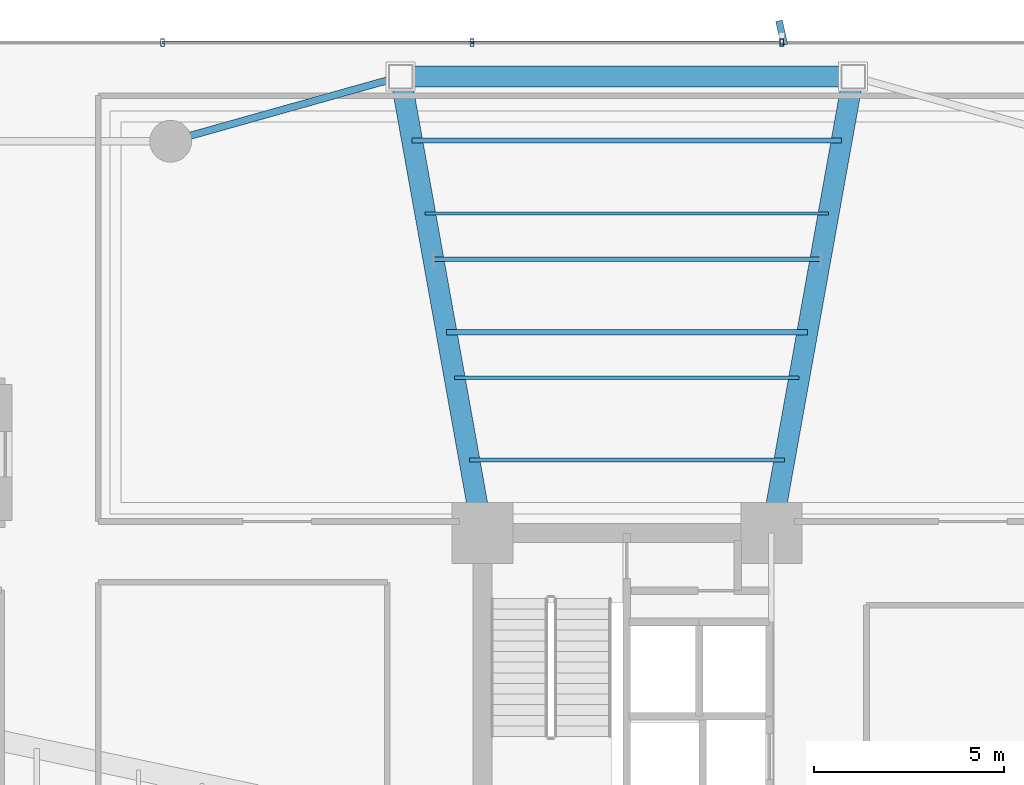
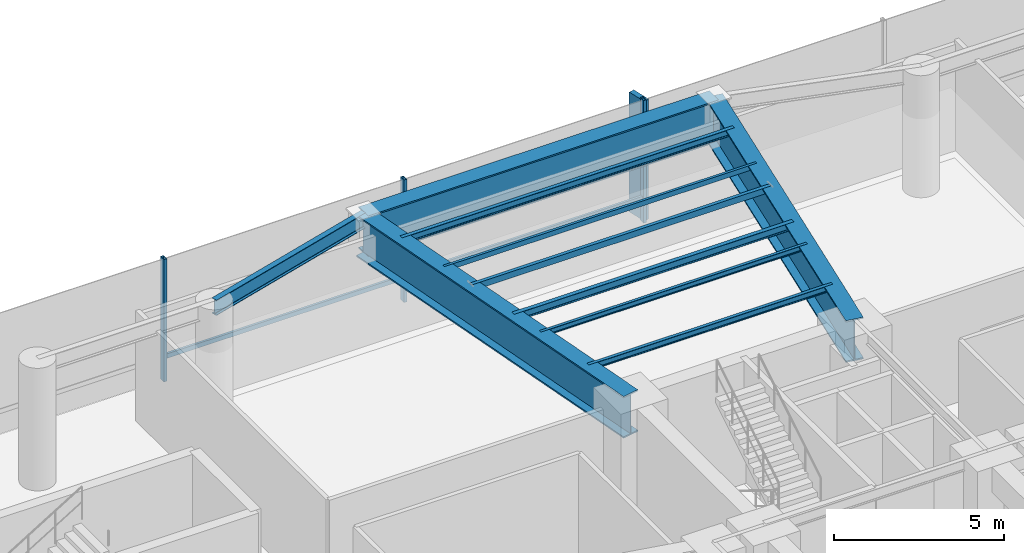
# One storey, part 9 of 22: 10 beams, 6 members, 1 element without a shape of its own.
"""IFC4 building model written with IfcOpenShell, lengths in metres."""

from ifc_helpers import new_model, si_unit, direction, frame, origin, origin_2d, place, context, subcontext, project, spatial, rectangle, hollow_rectangle, i_section, extrude, source, transform, mapped, material, material_profile, profile_set, type_object, element, aggregate, save


model = new_model("IFC4")

# Units and contexts
model_context = context("Model", 3, precision=1e-05, world=origin(), true_north=direction((0.0, 1.0)))
body_context = subcontext(model_context, "Body", "Model", "MODEL_VIEW")
ifc_project = project(units=[si_unit("LENGTHUNIT", "METRE"), si_unit("AREAUNIT", "SQUARE_METRE"), si_unit("VOLUMEUNIT", "CUBIC_METRE"), si_unit("PLANEANGLEUNIT", "RADIAN"), si_unit("MASSUNIT", "GRAM", prefix="KILO")], contexts=[model_context])

# Site, building, storey
site_placement = place(None, origin())
site = spatial("IfcSite", under=ifc_project, at=site_placement, CompositionType="ELEMENT")
building_placement = place(site_placement, origin())
building = spatial("IfcBuilding", under=site, at=building_placement, Name="Sahyath Konkavel Grand Hotel", CompositionType="ELEMENT")
storey_placement = place(building_placement, frame((0.0, 0.0, 9.300048828125)))
storey = spatial("IfcBuildingStorey", under=building, at=storey_placement, Name="L02", CompositionType="ELEMENT", Elevation=9.300048828125)

# Beams
ifc_material_1 = material(Name="Steel E350", Category="steel")
ifc_material_profile_1 = material_profile(ifc_material_1, i_section(OverallWidth=0.18994140625, OverallDepth=0.550048828125, WebThickness=0.01123046875, FlangeThickness=0.019287109375, FilletRadius=0.01806640625, at=origin_2d()), Name="ISMB 550")
ifc_profile_set_1 = profile_set([ifc_material_profile_1], Name="Steel E350")
beam_type_1 = type_object("IfcBeamType", Name="BM-ISMB550", PredefinedType="BEAM", material=ifc_profile_set_1)
shared_shape_1 = source(origin(), body_context, "Body", "SweptSolid", [
    extrude(i_section(OverallWidth=0.18994140625, OverallDepth=0.550048828125, WebThickness=0.01123046875, FlangeThickness=0.019287109375, FilletRadius=0.01806640625, at=origin_2d()), origin(), (0.0, 0.0, 1.0), 6.284423828125),
])
beam_1_placement = place(storey_placement, frame((-12.0, 20.5, 4.125), z_axis=(0.962718307277, 0.270505934933, 0.0), x_axis=(-0.270505934933, 0.962718307277, 0.0)))
element("IfcBeam", 1, at=beam_1_placement, inside=storey, type_object=beam_type_1, Name="str:bm:L02:POD-02", PredefinedType="BEAM", context=body_context, shape_type="MappedRepresentation", body=[
    mapped(shared_shape_1, transform((0.0, 0.0, 0.0), scale=1.0)),
])
ifc_material_2 = material(Name="Steel E450", Category="steel")
ifc_material_profile_2 = material_profile(ifc_material_2, i_section(OverallWidth=0.550048828125, OverallDepth=1.5, WebThickness=0.028076171875, FlangeThickness=0.050048828125, at=origin_2d()), Name="BPG 1500x550")
ifc_profile_set_2 = profile_set([ifc_material_profile_2], Name="Steel E450")
beam_type_2 = type_object("IfcBeamType", Name="BM-BPG1500", PredefinedType="BEAM", material=ifc_profile_set_2)
shared_shape_2 = source(origin(), body_context, "Body", "SweptSolid", [
    extrude(i_section(OverallWidth=0.550048828125, OverallDepth=1.5, WebThickness=0.028076171875, FlangeThickness=0.050048828125, at=origin_2d()), origin(), (0.0, 0.0, 1.0), 12.191162109375),
])
for number, where, z_axis, x_axis, name in (
    (2, (3.800048828125, 10.199951171875, 3.64990234375), (0.176350650305, 0.984327409014, 0.0), (-0.984327409014, 0.176350650305, 0.0), "L02 Ballroom E450 Transfer Truss Chord NA"),
    (3, (-3.800048828125, 10.199951171875, 3.64990234375), (-0.176350650305, 0.984327409014, 0.0), (-0.984327409014, -0.176350650305, 0.0), "L02 Ballroom E450 Transfer Truss Chord NB"),
):
    element("IfcBeam", number, at=place(storey_placement, frame(where, z_axis=z_axis, x_axis=x_axis)), inside=storey, type_object=beam_type_2, Name=name, PredefinedType="BEAM", context=body_context, shape_type="MappedRepresentation", body=[
        mapped(shared_shape_2, transform((0.0, 0.0, 0.0), scale=1.0)),
    ])
shared_shape_3 = source(origin(), body_context, "Body", "SweptSolid", [
    extrude(i_section(OverallWidth=0.550048828125, OverallDepth=1.5, WebThickness=0.028076171875, FlangeThickness=0.050048828125, at=origin_2d()), origin(), (0.0, 0.0, 1.0), 11.89990234375),
])
beam_2_placement = place(storey_placement, frame((5.949951171875, 22.199951171875, 3.64990234375), z_axis=(-1.0, 0.0, 0.0), x_axis=(0.0, -1.0, 0.0)))
element("IfcBeam", 4, at=beam_2_placement, inside=storey, type_object=beam_type_2, Name="L02 Ballroom E450 Transfer Truss Chord Tie N", PredefinedType="BEAM", context=body_context, shape_type="MappedRepresentation", body=[
    mapped(shared_shape_3, transform((0.0, 0.0, 0.0), scale=1.0)),
])
ifc_material_profile_3 = material_profile(ifc_material_1, i_section(OverallWidth=0.110107421875, OverallDepth=0.22509765625, WebThickness=0.006591796875, FlangeThickness=0.01171875, FilletRadius=0.011962890625, at=origin_2d()), Name="ISMB 225")
ifc_profile_set_3 = profile_set([ifc_material_profile_3], Name="Steel E350")
beam_type_3 = type_object("IfcBeamType", Name="BM-ISMB225", PredefinedType="BEAM", material=ifc_profile_set_3)
shared_shape_4 = source(origin(), body_context, "Body", "SweptSolid", [
    extrude(i_section(OverallWidth=0.110107421875, OverallDepth=0.22509765625, WebThickness=0.006591796875, FlangeThickness=0.01171875, FilletRadius=0.011962890625, at=origin_2d()), origin(), (0.0, 0.0, 1.0), 8.2880859375),
])
beam_3_placement = place(storey_placement, frame((4.14404296875, 12.1201171875, 4.287353515625), z_axis=(-1.0, 0.0, 0.0), x_axis=(0.0, -1.0, 0.0)))
element("IfcBeam", 5, at=beam_3_placement, inside=storey, type_object=beam_type_3, Name="L02 Composite Deck Sub-Beam N-1", PredefinedType="BEAM", context=body_context, shape_type="MappedRepresentation", body=[
    mapped(shared_shape_4, transform((0.0, 0.0, 0.0), scale=1.0)),
])
ifc_material_profile_4 = material_profile(ifc_material_1, i_section(OverallWidth=0.10009765625, OverallDepth=0.199951171875, WebThickness=0.005615234375, FlangeThickness=0.0107421875, FilletRadius=0.010986328125, at=origin_2d()), Name="ISMB 200")
ifc_profile_set_4 = profile_set([ifc_material_profile_4], Name="Steel E350")
beam_type_4 = type_object("IfcBeamType", Name="BM-ISMB200", PredefinedType="BEAM", material=ifc_profile_set_4)
shared_shape_5 = source(origin(), body_context, "Body", "SweptSolid", [
    extrude(i_section(OverallWidth=0.10009765625, OverallDepth=0.199951171875, WebThickness=0.005615234375, FlangeThickness=0.0107421875, FilletRadius=0.010986328125, at=origin_2d()), origin(), (0.0, 0.0, 1.0), 9.06201171875),
])
beam_4_placement = place(storey_placement, frame((4.531005859375, 14.280029296875, 4.300048828125), z_axis=(-1.0, 0.0, 0.0), x_axis=(0.0, -1.0, 0.0)))
element("IfcBeam", 6, at=beam_4_placement, inside=storey, type_object=beam_type_4, Name="L02 Composite Deck Sub-Beam N-2", PredefinedType="BEAM", context=body_context, shape_type="MappedRepresentation", body=[
    mapped(shared_shape_5, transform((0.0, 0.0, 0.0), scale=1.0)),
])
ifc_material_profile_5 = material_profile(ifc_material_1, i_section(OverallWidth=0.139892578125, OverallDepth=0.27490234375, WebThickness=0.00634765625, FlangeThickness=0.0087890625, FilletRadius=0.012939453125, at=origin_2d()), Name="ISLB 275")
ifc_profile_set_5 = profile_set([ifc_material_profile_5], Name="Steel E350")
beam_type_5 = type_object("IfcBeamType", Name="BM-ISLB275", PredefinedType="BEAM", material=ifc_profile_set_5)
shared_shape_6 = source(origin(), body_context, "Body", "SweptSolid", [
    extrude(i_section(OverallWidth=0.139892578125, OverallDepth=0.27490234375, WebThickness=0.00634765625, FlangeThickness=0.0087890625, FilletRadius=0.012939453125, at=origin_2d()), origin(), (0.0, 0.0, 1.0), 9.4921875),
])
beam_5_placement = place(storey_placement, frame((4.74609375, 15.47998046875, 4.262451171875), z_axis=(-1.0, 0.0, 0.0), x_axis=(0.0, -1.0, 0.0)))
element("IfcBeam", 7, at=beam_5_placement, inside=storey, type_object=beam_type_5, Name="L02 Composite Deck Sub-Beam N-3", PredefinedType="BEAM", context=body_context, shape_type="MappedRepresentation", body=[
    mapped(shared_shape_6, transform((0.0, 0.0, 0.0), scale=1.0)),
])
ifc_material_profile_6 = material_profile(ifc_material_1, hollow_rectangle(XDim=0.1201171875, YDim=0.219970703125, WallThickness=0.010009765625, at=origin_2d()), Name="RHS 220x120x10")
ifc_profile_set_6 = profile_set([ifc_material_profile_6], Name="Steel E350")
beam_type_6 = type_object("IfcBeamType", Name="BM-RHS220", PredefinedType="BEAM", material=ifc_profile_set_6)
shared_shape_7 = source(origin(), body_context, "Body", "SweptSolid", [
    extrude(hollow_rectangle(XDim=0.1201171875, YDim=0.219970703125, WallThickness=0.010009765625, at=origin_2d()), origin(), (0.0, 0.0, 1.0), 10.18017578125),
])
beam_6_placement = place(storey_placement, frame((5.090087890625, 17.39990234375, 4.2900390625), z_axis=(-1.0, 0.0, 0.0), x_axis=(0.0, -1.0, 0.0)))
element("IfcBeam", 8, at=beam_6_placement, inside=storey, type_object=beam_type_6, Name="L02 Composite Deck Sub-Beam N-4", PredefinedType="BEAM", context=body_context, shape_type="MappedRepresentation", body=[
    mapped(shared_shape_7, transform((0.0, 0.0, 0.0), scale=1.0)),
])
ifc_material_profile_7 = material_profile(ifc_material_1, hollow_rectangle(XDim=0.090087890625, YDim=0.179931640625, WallThickness=0.008056640625, at=origin_2d()), Name="RHS 180x90x8")
ifc_profile_set_7 = profile_set([ifc_material_profile_7], Name="Steel E350")
beam_type_7 = type_object("IfcBeamType", Name="BM-RHS180", PredefinedType="BEAM", material=ifc_profile_set_7)
shared_shape_8 = source(origin(), body_context, "Body", "SweptSolid", [
    extrude(hollow_rectangle(XDim=0.090087890625, YDim=0.179931640625, WallThickness=0.008056640625, at=origin_2d()), origin(), (0.0, 0.0, 1.0), 10.60986328125),
])
beam_7_placement = place(storey_placement, frame((5.304931640625, 18.60009765625, 4.31005859375), z_axis=(-1.0, 0.0, 0.0), x_axis=(0.0, -1.0, 0.0)))
element("IfcBeam", 9, at=beam_7_placement, inside=storey, type_object=beam_type_7, Name="L02 Composite Deck Sub-Beam N-5", PredefinedType="BEAM", context=body_context, shape_type="MappedRepresentation", body=[
    mapped(shared_shape_8, transform((0.0, 0.0, 0.0), scale=1.0)),
])
ifc_material_profile_8 = material_profile(ifc_material_1, i_section(OverallWidth=0.125, OverallDepth=0.25, WebThickness=0.0068359375, FlangeThickness=0.012451171875, FilletRadius=0.012939453125, at=origin_2d()), Name="ISMB 250")
ifc_profile_set_8 = profile_set([ifc_material_profile_8], Name="Steel E350")
beam_type_8 = type_object("IfcBeamType", Name="BM-ISMB250", PredefinedType="BEAM", material=ifc_profile_set_8)
shared_shape_9 = source(origin(), body_context, "Body", "SweptSolid", [
    extrude(i_section(OverallWidth=0.125, OverallDepth=0.25, WebThickness=0.0068359375, FlangeThickness=0.012451171875, FilletRadius=0.012939453125, at=origin_2d()), origin(), (0.0, 0.0, 1.0), 11.2978515625),
])
beam_8_placement = place(storey_placement, frame((5.64892578125, 20.52001953125, 4.27490234375), z_axis=(-1.0, 0.0, 0.0), x_axis=(0.0, -1.0, 0.0)))
element("IfcBeam", 10, at=beam_8_placement, inside=storey, type_object=beam_type_8, Name="L02 Composite Deck Sub-Beam N-6", PredefinedType="BEAM", context=body_context, shape_type="MappedRepresentation", body=[
    mapped(shared_shape_9, transform((0.0, 0.0, 0.0), scale=1.0)),
])

# Curtain wall, members
ifc_material_3 = material(Name="Anodised Bronze Aluminium & Low-E Glazing", Category="aluminium")
curtain_wall_type = type_object("IfcCurtainWallType", Name="CW-PODIUM", PredefinedType="NOTDEFINED", material=ifc_material_3)
curtain_wall_placement = place(storey_placement, origin())
curtain_wall = element("IfcCurtainWall", 11, at=curtain_wall_placement, inside=storey, type_object=curtain_wall_type, Name="L02 Unitised Curtain Wall N", PredefinedType="NOTDEFINED")
ifc_material_4 = material(Name="Anodised Bronze Aluminium", Category="aluminium")
ifc_material_profile_9 = material_profile(ifc_material_4, hollow_rectangle(XDim=0.10009765625, YDim=0.199951171875, WallThickness=0.008056640625, at=origin_2d()), Name="RHS 200x100x8")
ifc_profile_set_9 = profile_set([ifc_material_profile_9], Name="Anodised Bronze Aluminium")
member_type_1 = type_object("IfcMemberType", Name="CW-MUL-200", PredefinedType="MULLION", material=ifc_profile_set_9)
shared_shape_10 = source(origin(), body_context, "Body", "SweptSolid", [
    extrude(hollow_rectangle(XDim=0.10009765625, YDim=0.199951171875, WallThickness=0.008056640625, at=origin_2d()), origin(), (0.0, 0.0, 1.0), 4.39990234375),
])
member_1_placement = place(storey_placement, frame((4.071533203125, 23.092041015625, 0.0), z_axis=(0.0, 0.0, 1.0), x_axis=(1.0, 0.0, 0.0)))
member_1 = element("IfcMember", 12, at=member_1_placement, type_object=member_type_1, Name="L02 Curtain Wall Mullion N-3", PredefinedType="MULLION", context=body_context, shape_type="MappedRepresentation", body=[
    mapped(shared_shape_10, transform((0.0, 0.0, 0.0), scale=1.0)),
])
member_2_placement = place(storey_placement, frame((-4.071533203125, 23.092041015625, 0.0), z_axis=(0.0, 0.0, 1.0), x_axis=(1.0, 0.0, 0.0)))
member_2 = element("IfcMember", 13, at=member_2_placement, type_object=member_type_1, Name="L02 Curtain Wall Mullion N-4", PredefinedType="MULLION", context=body_context, shape_type="MappedRepresentation", body=[
    mapped(shared_shape_10, transform((0.0, 0.0, 0.0), scale=1.0)),
])
member_3_placement = place(storey_placement, frame((-12.214599609375, 23.092041015625, 0.0), z_axis=(0.0, 0.0, 1.0), x_axis=(1.0, 0.0, 0.0)))
member_3 = element("IfcMember", 14, at=member_3_placement, type_object=member_type_1, Name="L02 Curtain Wall Mullion N-5", PredefinedType="MULLION", context=body_context, shape_type="MappedRepresentation", body=[
    mapped(shared_shape_10, transform((0.0, 0.0, 0.0), scale=1.0)),
])
ifc_material_5 = material(Name="Warm Buff Sandstone Cladding on Concrete C50/60", Category="masonry")
ifc_material_profile_10 = material_profile(ifc_material_5, rectangle(XDim=0.179931640625, YDim=0.64990234375, at=origin_2d()), Name="FIN 180x650")
ifc_profile_set_10 = profile_set([ifc_material_profile_10], Name="Warm Buff Sandstone Cladding on Concrete C50/60")
member_type_2 = type_object("IfcMemberType", Name="FIN-SANDSTONE-650", PredefinedType="MULLION", material=ifc_profile_set_10)
shared_shape_11 = source(origin(), body_context, "Body", "SweptSolid", [
    extrude(rectangle(XDim=0.179931640625, YDim=0.64990234375, at=origin_2d()), origin(), (0.0, 0.0, 1.0), 4.2998046875),
])
member_4_placement = place(storey_placement, frame((4.071533203125, 23.35205078125, 0.050048828125), z_axis=(0.0, 0.0, 1.0), x_axis=(0.975419299024, 0.220356962886, 0.0)))
member_4 = element("IfcMember", 15, at=member_4_placement, type_object=member_type_2, Name="L02 Sandstone Vertical Solar Fin FIN N-3", PredefinedType="MULLION", context=body_context, shape_type="MappedRepresentation", body=[
    mapped(shared_shape_11, transform((0.0, 0.0, 0.0), scale=1.0)),
])
ifc_material_profile_11 = material_profile(ifc_material_4, hollow_rectangle(XDim=0.080078125, YDim=0.159912109375, WallThickness=0.006103515625, at=origin_2d()), Name="RHS 160x80x6")
ifc_profile_set_11 = profile_set([ifc_material_profile_11], Name="Anodised Bronze Aluminium")
member_type_3 = type_object("IfcMemberType", Name="CW-TRN-160", PredefinedType="USERDEFINED", material=ifc_profile_set_11)
shared_shape_12 = source(origin(), body_context, "Body", "SweptSolid", [
    extrude(hollow_rectangle(XDim=0.080078125, YDim=0.159912109375, WallThickness=0.006103515625, at=origin_2d()), origin(), (0.0, 0.0, 1.0), 8.14306640625),
])
member_5_placement = place(storey_placement, frame((4.071533203125, 23.092041015625, 0.849853515625), z_axis=(-1.0, 0.0, 0.0), x_axis=(0.0, -1.0, 0.0)))
member_5 = element("IfcMember", 16, at=member_5_placement, type_object=member_type_3, Name="L02 Curtain Wall Transom N-3-spandrel", ObjectType="TRANSOM", PredefinedType="USERDEFINED", context=body_context, shape_type="MappedRepresentation", body=[
    mapped(shared_shape_12, transform((0.0, 0.0, 0.0), scale=1.0)),
])
member_6_placement = place(storey_placement, frame((-4.071533203125, 23.092041015625, 0.849853515625), z_axis=(-1.0, 0.0, 0.0), x_axis=(0.0, -1.0, 0.0)))
member_6 = element("IfcMember", 17, at=member_6_placement, type_object=member_type_3, Name="L02 Curtain Wall Transom N-4-spandrel", ObjectType="TRANSOM", PredefinedType="USERDEFINED", context=body_context, shape_type="MappedRepresentation", body=[
    mapped(shared_shape_12, transform((0.0, 0.0, 0.0), scale=1.0)),
])
aggregate(curtain_wall, [member_1, member_4, member_2, member_3, member_5, member_6])

save(model, "model.ifc")
